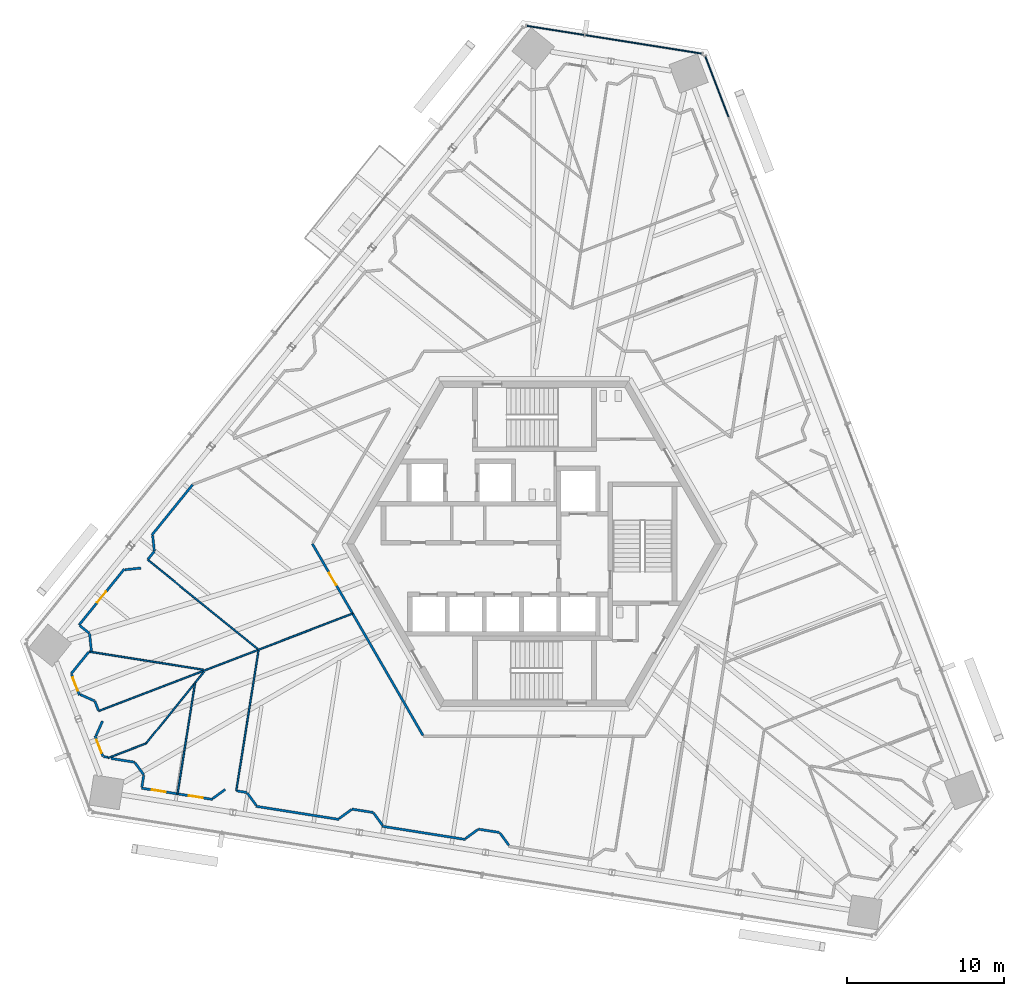
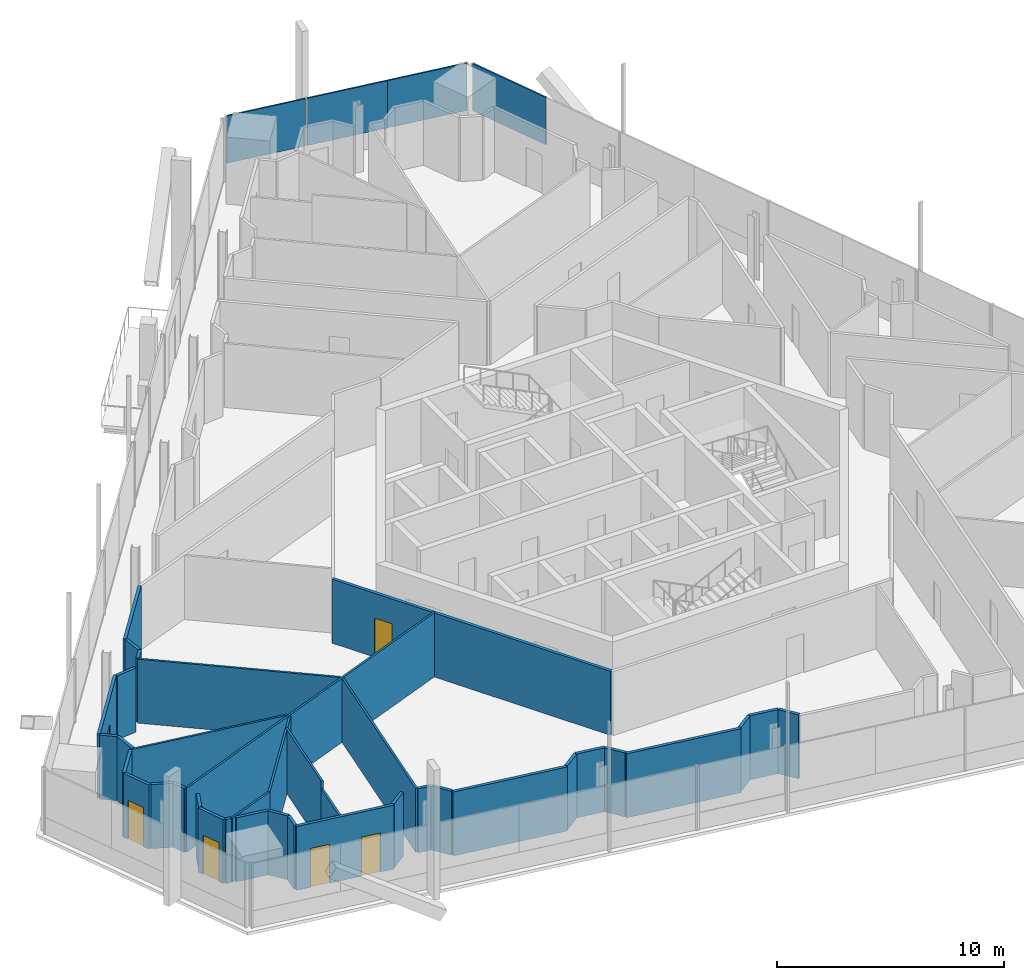
# One storey, part 11 of 23: 38 walls, 6 doors, 4 plates, 6 openings, 2 elements without a shape of their own.
"""IFC4 building model written with IfcOpenShell, lengths in metres."""

from ifc_helpers import new_model, si_unit, direction, frame, frame_2d, origin, origin_2d, place, context, subcontext, project, spatial, rectangle, extrude, source, transform, mapped, material, layer, layer_set, type_object, element, fill, aggregate, save


model = new_model("IFC4")

# Units and contexts
model_context = context("Model", 3, precision=1e-05, world=origin(), true_north=direction((0.0, 1.0)))
body_context = subcontext(model_context, "Body", "Model", "MODEL_VIEW")
ifc_project = project(units=[si_unit("LENGTHUNIT", "METRE"), si_unit("AREAUNIT", "SQUARE_METRE"), si_unit("VOLUMEUNIT", "CUBIC_METRE"), si_unit("PLANEANGLEUNIT", "RADIAN"), si_unit("MASSUNIT", "GRAM", prefix="KILO")], contexts=[model_context])

# Site, building, storey
site_placement = place(None, origin())
site = spatial("IfcSite", under=ifc_project, at=site_placement, CompositionType="ELEMENT")
building_placement = place(site_placement, origin())
building = spatial("IfcBuilding", under=site, at=building_placement, Name="Triune Harvest Tower", CompositionType="ELEMENT")
storey_placement = place(building_placement, frame((0.0, 0.0, 167.699951171875)))
storey = spatial("IfcBuildingStorey", under=building, at=storey_placement, Name="L43", CompositionType="ELEMENT", Elevation=167.699951171875)

# Curtain wall, plate
ifc_material_1 = material(Name="Aluminium bronze anodised", Category="aluminium")
curtain_wall_type = type_object("IfcCurtainWallType", Name="CW-7 Tower stick curtain wall with insulated spandrel infill", PredefinedType="NOTDEFINED", material=ifc_material_1)
curtain_wall_1_placement = place(storey_placement, origin())
curtain_wall_1 = element("IfcCurtainWall", 1, at=curtain_wall_1_placement, inside=storey, type_object=curtain_wall_type, Name="CW-7 B4-F2 L43 run 1")
ifc_material_2 = material(Name="Insulated spandrel panel, bronze aluminium pan", Category="aluminium")
ifc_layer_1 = layer(ifc_material_2, 0.080078125)
ifc_layer_set_1 = layer_set([ifc_layer_1], Name="Insulated spandrel panel, bronze aluminium pan")
plate_type = type_object("IfcPlateType", Name="SP-1 insulated spandrel panel 80", PredefinedType="CURTAIN_PANEL", material=ifc_layer_set_1)
plate_1_placement = place(storey_placement, frame((1.34228515625, 32.802734375, 0.900146484375), z_axis=(0.0, 0.0, 1.0), x_axis=(-0.987688615663, 0.156432728322, 0.0)))
plate_1 = element("IfcPlate", 2, at=plate_1_placement, type_object=plate_type, Name="CW-7 panel B4-F2 1.3", PredefinedType="CURTAIN_PANEL", context=body_context, shape_type="SweptSolid", body=[
    extrude(rectangle(XDim=3.7119140625, YDim=0.080078125, at=origin_2d()), origin(), (0.0, 0.0, 1.0), 2.5400390625),
])

curtain_wall_2_placement = place(storey_placement, origin())
curtain_wall_2 = element("IfcCurtainWall", 3, at=curtain_wall_2_placement, inside=storey, type_object=curtain_wall_type, Name="CW-7 B4-F1 L43 run 2001")
shared_shape_1 = source(origin(), body_context, "Body", "SweptSolid", [
    extrude(rectangle(XDim=4.131103515625, YDim=0.080078125, at=origin_2d()), origin(), (0.0, 0.0, 1.0), 2.5400390625),
])
plate_2_placement = place(storey_placement, frame((11.655517578125, 29.213623046875, 0.900146484375), z_axis=(0.0, 0.0, 1.0), x_axis=(-0.358367545502, 0.933580581595, 0.0)))
plate_2 = element("IfcPlate", 4, at=plate_2_placement, type_object=plate_type, Name="CW-7 panel B4-F1 2001.6", PredefinedType="CURTAIN_PANEL", context=body_context, shape_type="MappedRepresentation", body=[
    mapped(shared_shape_1, transform((0.0, 0.0, 0.0), scale=1.0)),
])
aggregate(curtain_wall_2, [plate_2])

# Plate
shared_shape_2 = source(origin(), body_context, "Body", "SweptSolid", [
    extrude(rectangle(XDim=3.74951171875, YDim=0.080078125, at=origin_2d()), origin(), (0.0, 0.0, 1.0), 2.5400390625),
])
plate_3_placement = place(storey_placement, frame((8.841552734375, 31.614990234375, 0.900146484375), z_axis=(0.0, 0.0, 1.0), x_axis=(-0.987688615663, 0.156432728322, 0.0)))
plate_3 = element("IfcPlate", 5, at=plate_3_placement, type_object=plate_type, Name="CW-7 panel B4-F2 1.1", PredefinedType="CURTAIN_PANEL", context=body_context, shape_type="MappedRepresentation", body=[
    mapped(shared_shape_2, transform((0.0, 0.0, 0.0), scale=1.0)),
])

shared_shape_3 = source(origin(), body_context, "Body", "SweptSolid", [
    extrude(rectangle(XDim=3.787109375, YDim=0.080078125, at=origin_2d()), origin(), (0.0, 0.0, 1.0), 2.5400390625),
])
plate_4_placement = place(storey_placement, frame((5.11962890625, 32.20458984375, 0.900146484375), z_axis=(0.0, 0.0, 1.0), x_axis=(-0.987688615663, 0.156432728322, 0.0)))
plate_4 = element("IfcPlate", 6, at=plate_4_placement, type_object=plate_type, Name="CW-7 panel B4-F2 1.2", PredefinedType="CURTAIN_PANEL", context=body_context, shape_type="MappedRepresentation", body=[
    mapped(shared_shape_3, transform((0.0, 0.0, 0.0), scale=1.0)),
])

aggregate(curtain_wall_1, [plate_3, plate_4, plate_1])

# Wall
ifc_material_3 = material(Name="Gypsum board on steel studs", Category="steel")
ifc_layer_2 = layer(ifc_material_3, 0.14990234375)
ifc_layer_set_2 = layer_set([ifc_layer_2], Name="Gypsum board on steel studs")
wall_type_1 = type_object("IfcWallType", Name="Fire Partition 150 mm", PredefinedType="PARTITIONING", material=ifc_layer_set_2)
wall_1_placement = place(storey_placement, frame((-28.429931640625, -5.730712890625, 0.0), z_axis=(0.0, 0.0, 1.0), x_axis=(0.104629094722, -0.994511313429, 0.0)))
element("IfcWall", 7, at=wall_1_placement, inside=storey, type_object=wall_type_1, Name="Partition L43 001", PredefinedType="PARTITIONING", context=body_context, shape_type="SweptSolid", body=[
    extrude(rectangle(XDim=1.14111328125, YDim=0.14990234375, at=frame_2d((0.570556640625, 0.0))), origin(), (0.0, 0.0, 1.0), 3.43994140625),
])

# Wall, opening, door
wall_2_placement = place(storey_placement, frame((-29.586669921875, -8.336181640625, 0.0), z_axis=(0.0, 0.0, 1.0), x_axis=(0.358303452862, -0.933605181898, 0.0)))
wall_2 = element("IfcWall", 8, at=wall_2_placement, inside=storey, type_object=wall_type_1, Name="Partition L43 007", PredefinedType="PARTITIONING", context=body_context, shape_type="SweptSolid", body=[
    extrude(rectangle(XDim=1.428955078125, YDim=0.14990234375, at=frame_2d((0.71435546875, 0.0))), origin(), (0.0, 0.0, 1.0), 3.43994140625),
])
opening_1_placement = place(wall_2_placement, frame((0.228515625, 0.0, 0.0)))
opening_1 = element("IfcOpeningElement", 9, at=opening_1_placement, cuts=wall_2, Name="Opening L43-021", PredefinedType="OPENING", context=body_context, shape_type="SweptSolid", body=[
    extrude(rectangle(XDim=0.89990234375, YDim=2.10009765625, at=frame_2d((0.449951171875, 1.050048828125))), frame((0.0, 0.0849609375, 0.0), z_axis=(0.0, -1.0, 0.0), x_axis=(1.0, 0.0, 0.0)), (0.0, 0.0, 1.0), 0.169921875),
])
ifc_material_4 = material(Name="Timber and steel door set", Category="steel")
door_type_1 = type_object("IfcDoorType", Name="Single leaf door FD30 left hand 900 x 2100", OperationType="SINGLE_SWING_LEFT", PredefinedType="DOOR", material=ifc_material_4)
door_1_placement = place(opening_1_placement, origin())
door_1 = element("IfcDoor", 10, at=door_1_placement, inside=storey, type_object=door_type_1, Name="Door L43-021 Open Office 43.21", OperationType="SINGLE_SWING_LEFT", OverallHeight=2.10009765625, OverallWidth=0.89990234375, PredefinedType="DOOR", context=body_context, shape_type="SweptSolid", body=[
    extrude(rectangle(XDim=0.89990234375, YDim=2.10009765625, at=frame_2d((0.449951171875, 1.050048828125))), frame((0.0, 0.02490234375, 0.0), z_axis=(0.0, -1.0, 0.0), x_axis=(1.0, 0.0, 0.0)), (0.0, 0.0, 1.0), 0.050048828125),
])
fill(opening_1, door_1)

# Wall
wall_3_placement = place(storey_placement, frame((-28.093505859375, -10.048095703125, 0.0), z_axis=(0.0, 0.0, 1.0), x_axis=(0.358353650064, -0.933585915428, 0.0)))
element("IfcWall", 11, at=wall_3_placement, inside=storey, type_object=wall_type_1, Name="Partition L43 009", PredefinedType="PARTITIONING", context=body_context, shape_type="SweptSolid", body=[
    extrude(rectangle(XDim=0.654052734375, YDim=0.14990234375, at=frame_2d((0.3271484375, 0.0))), origin(), (0.0, 0.0, 1.0), 3.43994140625),
])

# Wall, opening, door
wall_4_placement = place(storey_placement, frame((-14.19384765625, 0.0, 0.0), z_axis=(0.0, 0.0, 1.0), x_axis=(0.499989413994, -0.866031515532, 0.0)))
wall_4 = element("IfcWall", 12, at=wall_4_placement, inside=storey, type_object=wall_type_1, Name="Partition L43 024", PredefinedType="PARTITIONING", context=body_context, shape_type="SweptSolid", body=[
    extrude(rectangle(XDim=14.143798828125, YDim=0.14990234375, at=frame_2d((7.07177734375, 0.0))), origin(), (0.0, 0.0, 1.0), 3.43994140625),
])
opening_2_placement = place(wall_4_placement, frame((2.14990234375, 0.0, 0.0)))
opening_2 = element("IfcOpeningElement", 13, at=opening_2_placement, cuts=wall_4, Name="Opening L43-019", PredefinedType="OPENING", context=body_context, shape_type="SweptSolid", body=[
    extrude(rectangle(XDim=0.89990234375, YDim=2.10009765625, at=frame_2d((0.449951171875, 1.050048828125))), frame((0.0, 0.0849609375, 0.0), z_axis=(0.0, -1.0, 0.0), x_axis=(1.0, 0.0, 0.0)), (0.0, 0.0, 1.0), 0.169921875),
])
ifc_material_5 = material(Name="Timber and steel door set", Category="steel")
door_type_2 = type_object("IfcDoorType", Name="Single leaf door FD30 right hand 900 x 2100", OperationType="SINGLE_SWING_RIGHT", PredefinedType="DOOR", material=ifc_material_5)
door_2_placement = place(opening_2_placement, origin())
door_2 = element("IfcDoor", 14, at=door_2_placement, inside=storey, type_object=door_type_2, Name="Door L43-019 Office 43.19", OperationType="SINGLE_SWING_RIGHT", OverallHeight=2.10009765625, OverallWidth=0.89990234375, PredefinedType="DOOR", context=body_context, shape_type="SweptSolid", body=[
    extrude(rectangle(XDim=0.89990234375, YDim=2.10009765625, at=frame_2d((0.449951171875, 1.050048828125))), frame((0.0, 0.02490234375, 0.0), z_axis=(0.0, -1.0, 0.0), x_axis=(1.0, 0.0, 0.0)), (0.0, 0.0, 1.0), 0.050048828125),
])
fill(opening_2, door_2)

# Walls
wall_5_placement = place(storey_placement, frame((-19.021484375, -15.7900390625, 0.0), z_axis=(0.0, 0.0, 1.0), x_axis=(0.987741451912, -0.156098764169, 0.0)))
element("IfcWall", 15, at=wall_5_placement, inside=storey, type_object=wall_type_1, Name="Partition L43 061", PredefinedType="PARTITIONING", context=body_context, shape_type="SweptSolid", body=[
    extrude(rectangle(XDim=0.644287109375, YDim=0.14990234375, at=frame_2d((0.322265625, 0.0))), origin(), (0.0, 0.0, 1.0), 3.43994140625),
])
wall_6_placement = place(storey_placement, frame((-27.05908203125, -13.717529296875, 0.0), z_axis=(0.0, 0.0, 1.0), x_axis=(0.987698192453, -0.156372250178, 0.0)))
element("IfcWall", 16, at=wall_6_placement, inside=storey, type_object=wall_type_1, Name="Partition L43 066", PredefinedType="PARTITIONING", context=body_context, shape_type="SweptSolid", body=[
    extrude(rectangle(XDim=1.530029296875, YDim=0.14990234375, at=frame_2d((0.76513671875, 0.0))), origin(), (0.0, 0.0, 1.0), 3.43994140625),
])
wall_7_placement = place(storey_placement, frame((-20.55126953125, -16.2724609375, 0.0), z_axis=(0.0, 0.0, 1.0), x_axis=(0.808996267662, 0.587813779107, 0.0)))
element("IfcWall", 17, at=wall_7_placement, inside=storey, type_object=wall_type_1, Name="Partition L43 103", PredefinedType="PARTITIONING", context=body_context, shape_type="SweptSolid", body=[
    extrude(rectangle(XDim=0.9736328125, YDim=0.14990234375, at=frame_2d((0.48681640625, 0.0))), origin(), (0.0, 0.0, 1.0), 3.43994140625),
])
wall_8_placement = place(storey_placement, frame((-29.6015625, -8.298095703125, 0.0), z_axis=(0.0, 0.0, 1.0), x_axis=(0.629296781199, 0.777165079743, 0.0)))
element("IfcWall", 18, at=wall_8_placement, inside=storey, type_object=wall_type_1, Name="Partition L43 109", PredefinedType="PARTITIONING", context=body_context, shape_type="SweptSolid", body=[
    extrude(rectangle(XDim=1.781494140625, YDim=0.14990234375, at=frame_2d((0.890625, 0.0))), origin(), (0.0, 0.0, 1.0), 3.43994140625),
])

# Wall, opening, door
wall_9_placement = place(storey_placement, frame((-29.1005859375, -5.1875, 0.0), z_axis=(0.0, 0.0, 1.0), x_axis=(0.629301966371, 0.777160881106, 0.0)))
wall_9 = element("IfcWall", 19, at=wall_9_placement, inside=storey, type_object=wall_type_1, Name="Partition L43 115", PredefinedType="PARTITIONING", context=body_context, shape_type="SweptSolid", body=[
    extrude(rectangle(XDim=4.603515625, YDim=0.14990234375, at=frame_2d((2.3017578125, 0.0))), origin(), (0.0, 0.0, 1.0), 3.43994140625),
])
opening_3_placement = place(wall_9_placement, frame((1.849853515625, 0.0, 0.0)))
opening_3 = element("IfcOpeningElement", 20, at=opening_3_placement, cuts=wall_9, Name="Opening L43-020", PredefinedType="OPENING", context=body_context, shape_type="SweptSolid", body=[
    extrude(rectangle(XDim=0.89990234375, YDim=2.10009765625, at=frame_2d((0.449951171875, 1.050048828125))), frame((0.0, 0.0849609375, 0.0), z_axis=(0.0, -1.0, 0.0), x_axis=(1.0, 0.0, 0.0)), (0.0, 0.0, 1.0), 0.169921875),
])
door_3_placement = place(opening_3_placement, origin())
door_3 = element("IfcDoor", 21, at=door_3_placement, inside=storey, type_object=door_type_2, Name="Door L43-020 Pantry 43.20", OperationType="SINGLE_SWING_RIGHT", OverallHeight=2.10009765625, OverallWidth=0.89990234375, PredefinedType="DOOR", context=body_context, shape_type="SweptSolid", body=[
    extrude(rectangle(XDim=0.89990234375, YDim=2.10009765625, at=frame_2d((0.449951171875, 1.050048828125))), frame((0.0, 0.02490234375, 0.0), z_axis=(0.0, -1.0, 0.0), x_axis=(1.0, 0.0, 0.0)), (0.0, 0.0, 1.0), 0.050048828125),
])
fill(opening_3, door_3)

# Walls
wall_10_placement = place(storey_placement, frame((-24.4521484375, 0.552978515625, 0.0), z_axis=(0.0, 0.0, 1.0), x_axis=(0.629321848013, 0.777144781629, 0.0)))
element("IfcWall", 22, at=wall_10_placement, inside=storey, type_object=wall_type_1, Name="Partition L43 116", PredefinedType="PARTITIONING", context=body_context, shape_type="SweptSolid", body=[
    extrude(rectangle(XDim=4.147216796875, YDim=0.14990234375, at=frame_2d((2.07373046875, 0.0))), origin(), (0.0, 0.0, 1.0), 3.43994140625),
])
wall_11_placement = place(storey_placement, frame((-25.089111328125, -15.5673828125, 0.0), z_axis=(0.0, 0.0, 1.0), x_axis=(0.156250843188, 0.987717405943, 0.0)))
element("IfcWall", 23, at=wall_11_placement, inside=storey, type_object=wall_type_1, Name="Partition L43 142", PredefinedType="PARTITIONING", context=body_context, shape_type="SweptSolid", body=[
    extrude(rectangle(XDim=0.78271484375, YDim=0.14990234375, at=frame_2d((0.391357421875, 0.0))), origin(), (0.0, 0.0, 1.0), 3.43994140625),
])
wall_12_placement = place(storey_placement, frame((-27.519287109375, -13.601318359375, 0.0), z_axis=(0.0, 0.0, 1.0), x_axis=(0.986241185232, -0.165312808191, 0.0)))
element("IfcWall", 24, at=wall_12_placement, inside=storey, type_object=wall_type_1, Name="Partition L43 143", PredefinedType="PARTITIONING", context=body_context, shape_type="SweptSolid", body=[
    extrude(rectangle(XDim=0.260009765625, YDim=0.14990234375, at=frame_2d((0.1298828125, 0.0))), origin(), (0.0, 0.0, 1.0), 3.43994140625),
])
ifc_material_6 = material(Name="Gypsum board on steel studs", Category="steel")
ifc_layer_3 = layer(ifc_material_6, 0.10009765625)
ifc_layer_set_3 = layer_set([ifc_layer_3], Name="Gypsum board on steel studs")
wall_type_2 = type_object("IfcWallType", Name="Partition 100 mm", PredefinedType="PARTITIONING", material=ifc_layer_set_3)
wall_13_placement = place(storey_placement, frame((-28.461181640625, -6.890380859375, 0.0), z_axis=(0.0, 0.0, 1.0), x_axis=(0.987688145888, -0.156435694365, 0.0)))
element("IfcWall", 25, at=wall_13_placement, inside=storey, type_object=wall_type_2, Name="Partition L43 068", PredefinedType="PARTITIONING", context=body_context, shape_type="SweptSolid", body=[
    extrude(rectangle(XDim=7.392822265625, YDim=0.10009765625, at=frame_2d((3.6962890625, 0.0))), origin(), (0.0, 0.0, 1.0), 3.43994140625),
])
wall_14_placement = place(storey_placement, frame((-27.84716796875, -10.689697265625, 0.0), z_axis=(0.0, 0.0, 1.0), x_axis=(0.933579610161, 0.358370076167, 0.0)))
element("IfcWall", 26, at=wall_14_placement, inside=storey, type_object=wall_type_2, Name="Partition L43 088", PredefinedType="PARTITIONING", context=body_context, shape_type="SweptSolid", body=[
    extrude(rectangle(XDim=17.3828125, YDim=0.10009765625, at=frame_2d((8.69140625, 0.0))), origin(), (0.0, 0.0, 1.0), 3.43994140625),
])
wall_15_placement = place(storey_placement, frame((-24.81591796875, -12.75537109375, 0.0), z_axis=(0.0, 0.0, 1.0), x_axis=(0.629347525281, 0.777123987805, 0.0)))
element("IfcWall", 27, at=wall_15_placement, inside=storey, type_object=wall_type_2, Name="Partition L43 108", PredefinedType="PARTITIONING", context=body_context, shape_type="SweptSolid", body=[
    extrude(rectangle(XDim=5.8798828125, YDim=0.10009765625, at=frame_2d((2.93994140625, 0.0))), origin(), (0.0, 0.0, 1.0), 3.43994140625),
])
wall_16_placement = place(storey_placement, frame((-22.37109375, -13.2119140625, 0.0), z_axis=(0.0, 0.0, 1.0), x_axis=(0.156429683657, 0.98768909788, 0.0)))
element("IfcWall", 28, at=wall_16_placement, inside=storey, type_object=wall_type_2, Name="Partition L43 141a", PredefinedType="PARTITIONING", context=body_context, shape_type="SweptSolid", body=[
    extrude(rectangle(XDim=4.374755859375, YDim=0.10009765625, at=frame_2d((2.1875, 0.0))), origin(), (0.0, 0.0, 1.0), 3.43994140625),
])
shared_shape_4 = source(origin(), body_context, "Body", "SweptSolid", [
    extrude(rectangle(XDim=0.983642578125, YDim=0.14990234375, at=frame_2d((0.49169921875, 0.0))), origin(), (0.0, 0.0, 1.0), 3.43994140625),
])
for number, where, z_axis, x_axis, name in (
    (29, (-24.3955078125, 0.521484375, 0.0), (0.0, 0.0, 1.0), (0.104490984784, -0.994525833802, 0.0), "Partition L43 002"),
    (30, (-18.35888671875, -15.91552734375, 0.0), (0.0, 0.0, 1.0), (0.587979831181, -0.80887558878, 0.0), "Partition L43 028"),
    (31, (-29.019287109375, -9.636962890625, 0.0), (0.0, 0.0, 1.0), (0.913535017708, -0.406760090743, 0.0), "Partition L43 049"),
    (32, (-4.402587890625, -18.830078125, 0.0), (0.0, 0.0, 1.0), (0.809079379238, 0.587699377311, 0.0), "Partition L43 101"),
):
    element("IfcWall", number, at=place(storey_placement, frame(where, z_axis=z_axis, x_axis=x_axis)), inside=storey, type_object=wall_type_1, Name=name, PredefinedType="PARTITIONING", context=body_context, shape_type="MappedRepresentation", body=[
        mapped(shared_shape_4, transform((0.0, 0.0, 0.0), scale=1.0)),
    ])
shared_shape_5 = source(origin(), body_context, "Body", "SweptSolid", [
    extrude(rectangle(XDim=0.9833984375, YDim=0.14990234375, at=frame_2d((0.49169921875, 0.0))), origin(), (0.0, 0.0, 1.0), 3.43994140625),
])
for number, where, z_axis, x_axis, name in (
    (33, (-10.284423828125, -17.1943359375, 0.0), (0.0, 0.0, 1.0), (0.587817405052, -0.808993633051, 0.0), "Partition L43 029"),
    (34, (-2.2099609375, -18.47314453125, 0.0), (0.0, 0.0, 1.0), (0.587817405052, -0.808993633051, 0.0), "Partition L43 030"),
    (35, (-12.476806640625, -17.55126953125, 0.0), (0.0, 0.0, 1.0), (0.808993633051, 0.587817405052, 0.0), "Partition L43 102"),
):
    element("IfcWall", number, at=place(storey_placement, frame(where, z_axis=z_axis, x_axis=x_axis)), inside=storey, type_object=wall_type_1, Name=name, PredefinedType="PARTITIONING", context=body_context, shape_type="MappedRepresentation", body=[
        mapped(shared_shape_5, transform((0.0, 0.0, 0.0), scale=1.0)),
    ])

# Wall, opening, door
shared_shape_6 = source(origin(), body_context, "Body", "SweptSolid", [
    extrude(rectangle(XDim=1.4189453125, YDim=0.14990234375, at=frame_2d((0.70947265625, 0.0))), origin(), (0.0, 0.0, 1.0), 3.43994140625),
])
wall_17_placement = place(storey_placement, frame((-28.077392578125, -12.268310546875, 0.0), z_axis=(0.0, 0.0, 1.0), x_axis=(0.358540946813, -0.933514000676, 0.0)))
wall_17 = element("IfcWall", 36, at=wall_17_placement, inside=storey, type_object=wall_type_1, Name="Partition L43 008", PredefinedType="PARTITIONING", context=body_context, shape_type="MappedRepresentation", body=[
    mapped(shared_shape_6, transform((0.0, 0.0, 0.0), scale=1.0)),
])
opening_4_placement = place(wall_17_placement, frame((0.269287109375, 0.0, 0.0)))
opening_4 = element("IfcOpeningElement", 37, at=opening_4_placement, cuts=wall_17, Name="Opening L43-022", PredefinedType="OPENING", context=body_context, shape_type="SweptSolid", body=[
    extrude(rectangle(XDim=0.89990234375, YDim=2.10009765625, at=frame_2d((0.449951171875, 1.050048828125))), frame((0.0, 0.0849609375, 0.0), z_axis=(0.0, -1.0, 0.0), x_axis=(1.0, 0.0, 0.0)), (0.0, 0.0, 1.0), 0.169921875),
])
door_4_placement = place(opening_4_placement, origin())
door_4 = element("IfcDoor", 38, at=door_4_placement, inside=storey, type_object=door_type_1, Name="Door L43-022 Office 43.22", OperationType="SINGLE_SWING_LEFT", OverallHeight=2.10009765625, OverallWidth=0.89990234375, PredefinedType="DOOR", context=body_context, shape_type="SweptSolid", body=[
    extrude(rectangle(XDim=0.89990234375, YDim=2.10009765625, at=frame_2d((0.449951171875, 1.050048828125))), frame((0.0, 0.02490234375, 0.0), z_axis=(0.0, -1.0, 0.0), x_axis=(1.0, 0.0, 0.0)), (0.0, 0.0, 1.0), 0.050048828125),
])
fill(opening_4, door_4)

# Walls
shared_shape_7 = source(origin(), body_context, "Body", "SweptSolid", [
    extrude(rectangle(XDim=5.3916015625, YDim=0.14990234375, at=frame_2d((2.69580078125, 0.0))), origin(), (0.0, 0.0, 1.0), 3.43994140625),
])
wall_18_placement = place(storey_placement, frame((-17.80126953125, -16.7724609375, 0.0), z_axis=(0.0, 0.0, 1.0), x_axis=(0.987693107617, -0.156404364282, 0.0)))
element("IfcWall", 39, at=wall_18_placement, inside=storey, type_object=wall_type_1, Name="Partition L43 055", PredefinedType="PARTITIONING", context=body_context, shape_type="MappedRepresentation", body=[
    mapped(shared_shape_7, transform((0.0, 0.0, 0.0), scale=1.0)),
])
shared_shape_8 = source(origin(), body_context, "Body", "SweptSolid", [
    extrude(rectangle(XDim=5.391845703125, YDim=0.14990234375, at=frame_2d((2.69580078125, 0.0))), origin(), (0.0, 0.0, 1.0), 3.43994140625),
])
wall_19_placement = place(storey_placement, frame((-9.72705078125, -18.05126953125, 0.0), z_axis=(0.0, 0.0, 1.0), x_axis=(0.987694215248, -0.156397369434, 0.0)))
element("IfcWall", 40, at=wall_19_placement, inside=storey, type_object=wall_type_1, Name="Partition L43 056", PredefinedType="PARTITIONING", context=body_context, shape_type="MappedRepresentation", body=[
    mapped(shared_shape_8, transform((0.0, 0.0, 0.0), scale=1.0)),
])

# Wall, openings, doors
shared_shape_9 = source(origin(), body_context, "Body", "SweptSolid", [
    extrude(rectangle(XDim=4.60302734375, YDim=0.14990234375, at=frame_2d((2.301513671875, 0.0))), origin(), (0.0, 0.0, 1.0), 3.43994140625),
])
wall_20_placement = place(storey_placement, frame((-25.096923828125, -15.616943359375, 0.0), z_axis=(0.0, 0.0, 1.0), x_axis=(0.987691905543, -0.156411955185, 0.0)))
wall_20 = element("IfcWall", 41, at=wall_20_placement, inside=storey, type_object=wall_type_1, Name="Partition L43 054", PredefinedType="PARTITIONING", context=body_context, shape_type="MappedRepresentation", body=[
    mapped(shared_shape_9, transform((0.0, 0.0, 0.0), scale=1.0)),
])
opening_5_placement = place(wall_20_placement, frame((0.666259765625, 0.0, 0.0)))
opening_5 = element("IfcOpeningElement", 42, at=opening_5_placement, cuts=wall_20, Name="Opening L43-023", PredefinedType="OPENING", context=body_context, shape_type="SweptSolid", body=[
    extrude(rectangle(XDim=0.89990234375, YDim=2.10009765625, at=frame_2d((0.449951171875, 1.050048828125))), frame((0.0, 0.0849609375, 0.0), z_axis=(0.0, -1.0, 0.0), x_axis=(1.0, 0.0, 0.0)), (0.0, 0.0, 1.0), 0.169921875),
])
opening_6_placement = place(wall_20_placement, frame((3.05322265625, 0.0, 0.0)))
opening_6 = element("IfcOpeningElement", 43, at=opening_6_placement, cuts=wall_20, Name="Opening L43-024", PredefinedType="OPENING", context=body_context, shape_type="SweptSolid", body=[
    extrude(rectangle(XDim=0.89990234375, YDim=2.10009765625, at=frame_2d((0.449951171875, 1.050048828125))), frame((0.0, 0.0849609375, 0.0), z_axis=(0.0, -1.0, 0.0), x_axis=(1.0, 0.0, 0.0)), (0.0, 0.0, 1.0), 0.169921875),
])
door_5_placement = place(opening_5_placement, origin())
door_5 = element("IfcDoor", 44, at=door_5_placement, inside=storey, type_object=door_type_1, Name="Door L43-023 Office 43.23", OperationType="SINGLE_SWING_LEFT", OverallHeight=2.10009765625, OverallWidth=0.89990234375, PredefinedType="DOOR", context=body_context, shape_type="SweptSolid", body=[
    extrude(rectangle(XDim=0.89990234375, YDim=2.10009765625, at=frame_2d((0.449951171875, 1.050048828125))), frame((0.0, 0.02490234375, 0.0), z_axis=(0.0, -1.0, 0.0), x_axis=(1.0, 0.0, 0.0)), (0.0, 0.0, 1.0), 0.050048828125),
])
fill(opening_5, door_5)
door_6_placement = place(opening_6_placement, origin())
door_6 = element("IfcDoor", 45, at=door_6_placement, inside=storey, type_object=door_type_2, Name="Door L43-024 Office 43.24", OperationType="SINGLE_SWING_RIGHT", OverallHeight=2.10009765625, OverallWidth=0.89990234375, PredefinedType="DOOR", context=body_context, shape_type="SweptSolid", body=[
    extrude(rectangle(XDim=0.89990234375, YDim=2.10009765625, at=frame_2d((0.449951171875, 1.050048828125))), frame((0.0, 0.02490234375, 0.0), z_axis=(0.0, -1.0, 0.0), x_axis=(1.0, 0.0, 0.0)), (0.0, 0.0, 1.0), 0.050048828125),
])
fill(opening_6, door_6)

# Walls
shared_shape_10 = source(origin(), body_context, "Body", "SweptSolid", [
    extrude(rectangle(XDim=0.968505859375, YDim=0.14990234375, at=frame_2d((0.484375, 0.0))), origin(), (0.0, 0.0, 1.0), 3.43994140625),
])
wall_21_placement = place(storey_placement, frame((-25.53125, -13.981201171875, 0.0), z_axis=(0.0, 0.0, 1.0), x_axis=(0.587871875586, -0.808954051782, 0.0)))
element("IfcWall", 46, at=wall_21_placement, inside=storey, type_object=wall_type_1, Name="Partition L43 027", PredefinedType="PARTITIONING", context=body_context, shape_type="MappedRepresentation", body=[
    mapped(shared_shape_10, transform((0.0, 0.0, 0.0), scale=1.0)),
])
shared_shape_11 = source(origin(), body_context, "Body", "SweptSolid", [
    extrude(rectangle(XDim=0.782958984375, YDim=0.14990234375, at=frame_2d((0.3916015625, 0.0))), origin(), (0.0, 0.0, 1.0), 3.43994140625),
])
wall_22_placement = place(storey_placement, frame((-29.0615234375, -5.218994140625, 0.0), z_axis=(0.0, 0.0, 1.0), x_axis=(0.777143187217, -0.629323816936, 0.0)))
element("IfcWall", 47, at=wall_22_placement, inside=storey, type_object=wall_type_1, Name="Partition L43 034", PredefinedType="PARTITIONING", context=body_context, shape_type="MappedRepresentation", body=[
    mapped(shared_shape_11, transform((0.0, 0.0, 0.0), scale=1.0)),
])
shared_shape_12 = source(origin(), body_context, "Body", "SweptSolid", [
    extrude(rectangle(XDim=9.060546875, YDim=0.10009765625, at=frame_2d((4.5302734375, 0.0))), origin(), (0.0, 0.0, 1.0), 3.43994140625),
])
for number, where, z_axis, x_axis, name in (
    (48, (-24.72119140625, -1.019775390625, 0.0), (0.0, 0.0, 1.0), (0.777156386465, -0.62930751702, 0.0), "Partition L43 035"),
    (49, (-19.0537109375, -15.783935546875, 0.0), (0.0, 0.0, 1.0), (0.156419175394, 0.987690762116, 0.0), "Partition L43 140"),
):
    element("IfcWall", number, at=place(storey_placement, frame(where, z_axis=z_axis, x_axis=x_axis)), inside=storey, type_object=wall_type_2, Name=name, PredefinedType="PARTITIONING", context=body_context, shape_type="MappedRepresentation", body=[
        mapped(shared_shape_12, transform((0.0, 0.0, 0.0), scale=1.0)),
    ])
shared_shape_13 = source(origin(), body_context, "Body", "SweptSolid", [
    extrude(rectangle(XDim=2.60302734375, YDim=0.10009765625, at=frame_2d((1.301513671875, 0.0))), origin(), (0.0, 0.0, 1.0), 3.43994140625),
])
wall_23_placement = place(storey_placement, frame((-27.24609375, -13.688232421875, 0.0), z_axis=(0.0, 0.0, 1.0), x_axis=(0.933611256923, 0.358287623211, 0.0)))
element("IfcWall", 50, at=wall_23_placement, inside=storey, type_object=wall_type_2, Name="Partition L43 087", PredefinedType="PARTITIONING", context=body_context, shape_type="MappedRepresentation", body=[
    mapped(shared_shape_13, transform((0.0, 0.0, 0.0), scale=1.0)),
])
shared_shape_14 = source(origin(), body_context, "Body", "SweptSolid", [
    extrude(rectangle(XDim=2.8017578125, YDim=0.10009765625, at=frame_2d((1.40087890625, 0.0))), origin(), (0.0, 0.0, 1.0), 3.0234375),
])
wall_24_placement = place(storey_placement, frame((-22.809326171875, -15.979248046875, 0.0), z_axis=(0.0, 0.0, 1.0), x_axis=(0.156410015166, 0.987692212764, 0.0)))
element("IfcWall", 51, at=wall_24_placement, inside=storey, type_object=wall_type_2, Name="Partition L43 141", PredefinedType="PARTITIONING", context=body_context, shape_type="MappedRepresentation", body=[
    mapped(shared_shape_14, transform((0.0, 0.0, 0.0), scale=1.0)),
])
shared_shape_15 = source(origin(), body_context, "Body", "SweptSolid", [
    extrude(rectangle(XDim=1.371826171875, YDim=0.14990234375, at=frame_2d((0.68603515625, 0.0))), origin(), (0.0, 0.0, 1.0), 3.43994140625),
])
for number, where, z_axis, x_axis, name in (
    (52, (-11.656982421875, -16.9560546875, 0.0), (0.0, 0.0, 1.0), (0.987716746821, -0.156255009677, 0.0), "Partition L43 062"),
    (53, (-3.58251953125, -18.234375, 0.0), (0.0, 0.0, 1.0), (0.98768926567, -0.156428624238, 0.0), "Partition L43 063"),
):
    element("IfcWall", number, at=place(storey_placement, frame(where, z_axis=z_axis, x_axis=x_axis)), inside=storey, type_object=wall_type_1, Name=name, PredefinedType="PARTITIONING", context=body_context, shape_type="MappedRepresentation", body=[
        mapped(shared_shape_15, transform((0.0, 0.0, 0.0), scale=1.0)),
    ])
shared_shape_16 = source(origin(), body_context, "Body", "SweptSolid", [
    extrude(rectangle(XDim=1.013671875, YDim=0.14990234375, at=frame_2d((0.5068359375, 0.0))), origin(), (0.0, 0.0, 1.0), 3.43994140625),
])
wall_25_placement = place(storey_placement, frame((-28.013916015625, -12.255859375, 0.0), z_axis=(0.0, 0.0, 1.0), x_axis=(0.406786409515, 0.913523298572, 0.0)))
element("IfcWall", 54, at=wall_25_placement, inside=storey, type_object=wall_type_1, Name="Partition L43 130", PredefinedType="PARTITIONING", context=body_context, shape_type="MappedRepresentation", body=[
    mapped(shared_shape_16, transform((0.0, 0.0, 0.0), scale=1.0)),
])
shared_shape_17 = source(origin(), body_context, "Body", "SweptSolid", [
    extrude(rectangle(XDim=1.013916015625, YDim=0.14990234375, at=frame_2d((0.5068359375, 0.0))), origin(), (0.0, 0.0, 1.0), 3.43994140625),
])
wall_26_placement = place(storey_placement, frame((-26.1611328125, -1.65869140625, 0.0), z_axis=(0.0, 0.0, 1.0), x_axis=(0.994523910136, 0.104509292252, 0.0)))
element("IfcWall", 55, at=wall_26_placement, inside=storey, type_object=wall_type_1, Name="Partition L43 077", PredefinedType="PARTITIONING", context=body_context, shape_type="MappedRepresentation", body=[
    mapped(shared_shape_17, transform((0.0, 0.0, 0.0), scale=1.0)),
])
shared_shape_18 = source(origin(), body_context, "Body", "SweptSolid", [
    extrude(rectangle(XDim=0.655029296875, YDim=0.14990234375, at=frame_2d((0.32763671875, 0.0))), origin(), (0.0, 0.0, 1.0), 3.43994140625),
])
wall_27_placement = place(storey_placement, frame((-24.700439453125, -0.99462890625, 0.0), z_axis=(0.0, 0.0, 1.0), x_axis=(0.629230398417, 0.777218827428, 0.0)))
element("IfcWall", 56, at=wall_27_placement, inside=storey, type_object=wall_type_1, Name="Partition L43 111", PredefinedType="PARTITIONING", context=body_context, shape_type="MappedRepresentation", body=[
    mapped(shared_shape_18, transform((0.0, 0.0, 0.0), scale=1.0)),
])

save(model, "model.ifc")
